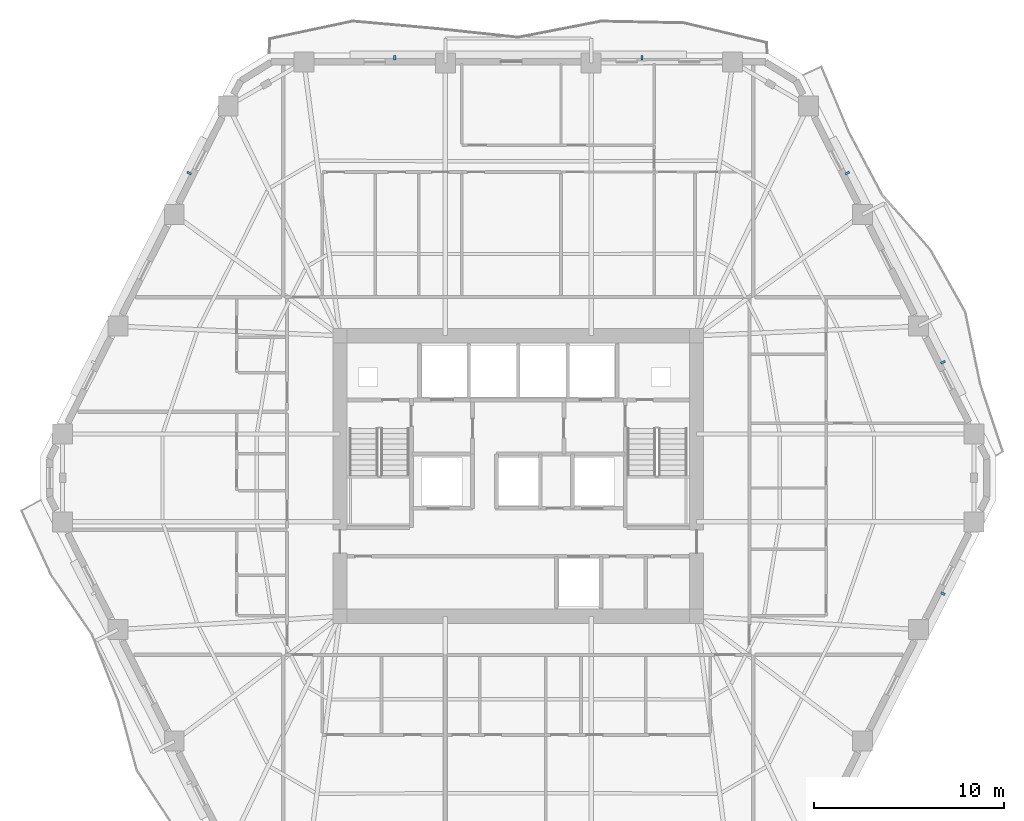
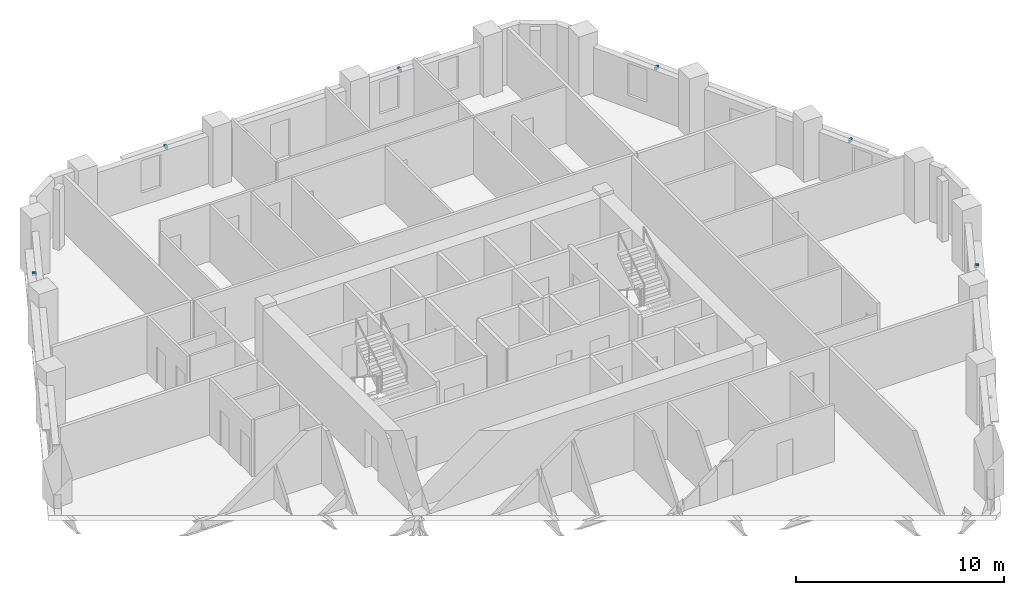
# One storey, part 9 of 12: 6 discrete accessories.
"""IFC4 building model written with IfcOpenShell, lengths in metres."""

from ifc_helpers import new_model, si_unit, direction, frame, origin, origin_2d, place, context, subcontext, project, spatial, rectangle, extrude, material, type_object, element, save


model = new_model("IFC4")

# Units and contexts
model_context = context("Model", 3, precision=1e-05, world=origin(), true_north=direction((0.0, 1.0)))
body_context = subcontext(model_context, "Body", "Model", "MODEL_VIEW")
ifc_project = project(units=[si_unit("LENGTHUNIT", "METRE"), si_unit("AREAUNIT", "SQUARE_METRE"), si_unit("VOLUMEUNIT", "CUBIC_METRE"), si_unit("PLANEANGLEUNIT", "RADIAN"), si_unit("MASSUNIT", "GRAM", prefix="KILO")], contexts=[model_context])

# Site, building, storey
site_placement = place(None, origin())
site = spatial("IfcSite", under=ifc_project, at=site_placement, CompositionType="ELEMENT")
building_placement = place(site_placement, origin())
building = spatial("IfcBuilding", under=site, at=building_placement, Name="Cinnabar Lancet Tower", CompositionType="ELEMENT")
storey_placement = place(building_placement, frame((0.0, 0.0, 112.60009765625)))
storey = spatial("IfcBuildingStorey", under=building, at=storey_placement, Name="L29", CompositionType="ELEMENT", Elevation=112.60009765625)

# Discrete accessories
ifc_material = material(Name="Stainless steel 316 facade fixing bracket", Category="steel")
discrete_accessory_type = type_object("IfcDiscreteAccessoryType", Name="ENV-ACC-BRK-180", PredefinedType="BRACKET", material=ifc_material)
for number, where, z_axis, x_axis, name in (
    (1, (54.72998046875, 19.717041015625, 2.60009765625), (0.0, 0.0, 1.0), (0.451453853408, 0.892294468347, 0.0), "L29 Face 2 Sunshade Bracket B"),
    (2, (54.72998046875, 31.883056640625, 2.60009765625), (0.0, 0.0, 1.0), (-0.451453853408, 0.892294468347, 0.0), "L29 Face 3 Sunshade Bracket A"),
    (3, (49.698974609375, 41.827880859375, 2.60009765625), (0.0, 0.0, 1.0), (-0.451453853408, 0.892294468347, 0.0), "L29 Face 3 Sunshade Bracket B"),
    (4, (38.90087890625, 47.889892578125, 2.60009765625), (0.0, 0.0, 1.0), (-1.0, 0.0, 0.0), "L29 Face 4 Sunshade Bracket A"),
    (5, (25.89892578125, 47.889892578125, 2.60009765625), (0.0, 0.0, 1.0), (-1.0, 0.0, 0.0), "L29 Face 4 Sunshade Bracket B"),
    (6, (15.10107421875, 41.827880859375, 2.60009765625), (0.0, 0.0, 1.0), (-0.451453853408, -0.892294468347, 0.0), "L29 Face 5 Sunshade Bracket A"),
):
    element("IfcDiscreteAccessory", number, at=place(storey_placement, frame(where, z_axis=z_axis, x_axis=x_axis)), inside=storey, type_object=discrete_accessory_type, Name=name, PredefinedType="BRACKET", context=body_context, shape_type="SweptSolid", body=[
        extrude(rectangle(XDim=0.1201171875, YDim=0.239990234375, at=origin_2d()), origin(), (0.0, 0.0, 1.0), 0.159912109375),
    ])

save(model, "model.ifc")
